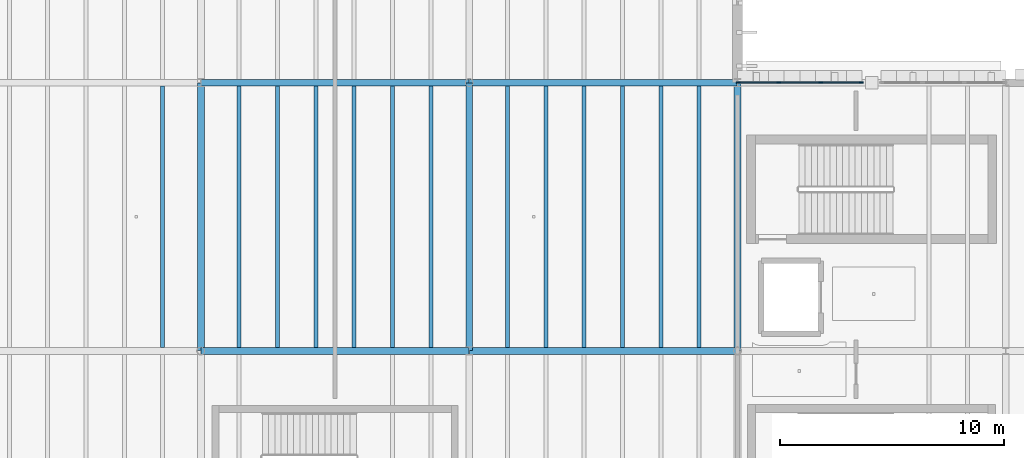
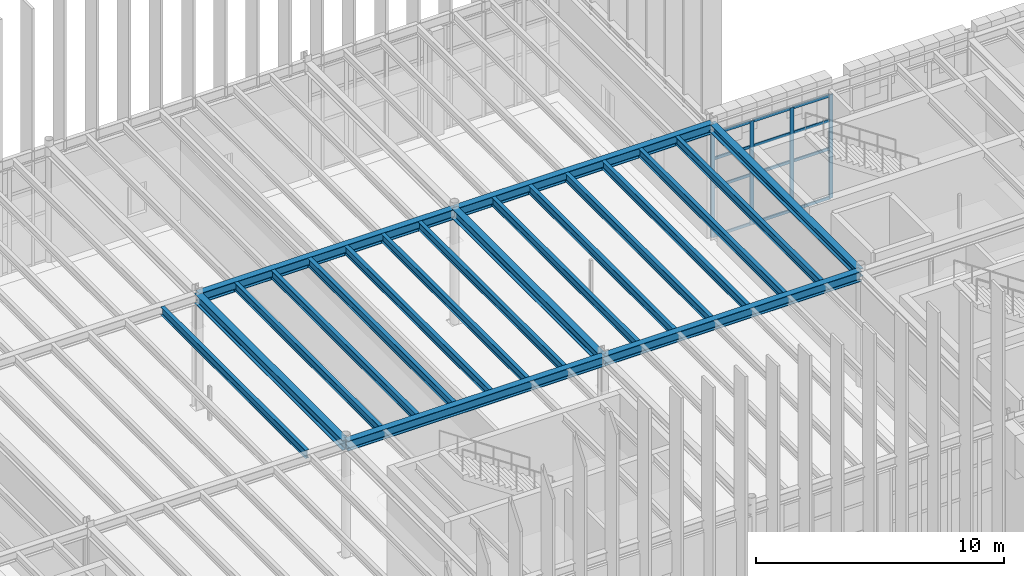
# One storey, part 27 of 83: 20 beams, 16 members, 1 element without a shape of its own.
"""IFC4 building model written with IfcOpenShell, lengths in metres."""

from ifc_helpers import new_model, si_unit, direction, frame, origin, origin_2d, place, context, subcontext, project, spatial, rectangle, i_section, extrude, material, layer, layer_set, material_profile, profile_set, type_object, element, aggregate, save


model = new_model("IFC4")

# Units and contexts
model_context = context("Model", 3, precision=1e-05, world=origin(), true_north=direction((0.0, 1.0)))
body_context = subcontext(model_context, "Body", "Model", "MODEL_VIEW")
ifc_project = project(units=[si_unit("LENGTHUNIT", "METRE"), si_unit("AREAUNIT", "SQUARE_METRE"), si_unit("VOLUMEUNIT", "CUBIC_METRE"), si_unit("PLANEANGLEUNIT", "RADIAN"), si_unit("MASSUNIT", "GRAM", prefix="KILO")], contexts=[model_context])

# Site, building, storey
site_placement = place(None, origin())
site = spatial("IfcSite", under=ifc_project, at=site_placement, CompositionType="ELEMENT")
building_placement = place(site_placement, origin())
building = spatial("IfcBuilding", under=site, at=building_placement, Name="Zlatogorsky Bluff Art Gallery", CompositionType="ELEMENT")
storey_placement = place(building_placement, frame((0.0, 0.0, 10.800048828125)))
storey = spatial("IfcBuildingStorey", under=building, at=storey_placement, Name="L02", CompositionType="ELEMENT", Elevation=10.800048828125)

# Beams
ifc_material_1 = material(Name="Steel S355", Category="steel")
ifc_material_profile_1 = material_profile(ifc_material_1, i_section(OverallWidth=0.300048828125, OverallDepth=0.489990234375, WebThickness=0.011962890625, FlangeThickness=0.02294921875, FilletRadius=0.027099609375, at=origin_2d()), Name="HEA 500")
ifc_profile_set_1 = profile_set([ifc_material_profile_1], Name="Steel S355")
beam_type_1 = type_object("IfcBeamType", Name="Beam BM-07 HEA 500", PredefinedType="BEAM", material=ifc_profile_set_1)
for number, where, z_axis, x_axis, name in (
    (1, (96.014892578125, 96.0, 5.445068359375), (1.0, 0.0, 0.0), (0.0, 1.0, 0.0), "Primary girder BM-07 L02 J-K/10"),
    (2, (96.014892578125, 108.0, 5.445068359375), (1.0, 0.0, 0.0), (0.0, 1.0, 0.0), "Primary girder BM-07 L02 J-K/11"),
    (3, (108.014892578125, 96.0, 5.445068359375), (1.0, 0.0, 0.0), (0.0, 1.0, 0.0), "Primary girder BM-07 L02 K-L/10"),
    (4, (108.014892578125, 108.0, 5.445068359375), (1.0, 0.0, 0.0), (0.0, 1.0, 0.0), "Primary girder BM-07 L02 K-L/11"),
    (5, (96.0, 96.014892578125, 5.445068359375), (0.0, 1.0, 0.0), (-1.0, 0.0, 0.0), "Primary girder BM-07 L02 J/10-11"),
    (6, (108.0, 96.014892578125, 5.445068359375), (0.0, 1.0, 0.0), (-1.0, 0.0, 0.0), "Primary girder BM-07 L02 K/10-11"),
):
    element("IfcBeam", number, at=place(storey_placement, frame(where, z_axis=z_axis, x_axis=x_axis)), inside=storey, type_object=beam_type_1, Name=name, PredefinedType="BEAM", context=body_context, shape_type="SweptSolid", body=[
        extrude(i_section(OverallWidth=0.300048828125, OverallDepth=0.489990234375, WebThickness=0.011962890625, FlangeThickness=0.02294921875, FilletRadius=0.027099609375, at=origin_2d()), origin(), (0.0, 0.0, 1.0), 11.97021484375),
    ])
ifc_material_profile_2 = material_profile(ifc_material_1, i_section(OverallWidth=0.300048828125, OverallDepth=0.389892578125, WebThickness=0.010986328125, FlangeThickness=0.01904296875, FilletRadius=0.027099609375, at=origin_2d()), Name="HEA 400")
ifc_profile_set_2 = profile_set([ifc_material_profile_2], Name="Steel S355")
beam_type_2 = type_object("IfcBeamType", Name="Beam BM-09 HEA 400", PredefinedType="BEAM", material=ifc_profile_set_2)
beam_placement = place(storey_placement, frame((120.0, 96.014892578125, 5.494873046875), z_axis=(0.0, 1.0, 0.0), x_axis=(-1.0, 0.0, 0.0)))
element("IfcBeam", 7, at=beam_placement, inside=storey, type_object=beam_type_2, Name="Primary girder BM-09 L02 L/10-11", PredefinedType="BEAM", context=body_context, shape_type="SweptSolid", body=[
    extrude(i_section(OverallWidth=0.300048828125, OverallDepth=0.389892578125, WebThickness=0.010986328125, FlangeThickness=0.01904296875, FilletRadius=0.027099609375, at=origin_2d()), origin(), (0.0, 0.0, 1.0), 11.97021484375),
])
ifc_material_profile_3 = material_profile(ifc_material_1, i_section(OverallWidth=0.179931640625, OverallDepth=0.39990234375, WebThickness=0.008544921875, FlangeThickness=0.013427734375, FilletRadius=0.02099609375, at=origin_2d()), Name="IPE 400")
ifc_profile_set_3 = profile_set([ifc_material_profile_3], Name="Steel S355")
beam_type_3 = type_object("IfcBeamType", Name="Beam JS-05 IPE 400", PredefinedType="JOIST", material=ifc_profile_set_3)
for number, where, z_axis, x_axis, name in (
    (8, (94.28564453125, 96.14990234375, 5.489990234375), (0.0, 1.0, 0.0), (-1.0, 0.0, 0.0), "Composite floor joist JS-05 L02 07.09.6"),
    (9, (97.71435546875, 96.14990234375, 5.489990234375), (0.0, 1.0, 0.0), (-1.0, 0.0, 0.0), "Composite floor joist JS-05 L02 08.09.1"),
    (10, (99.428466796875, 96.14990234375, 5.489990234375), (0.0, 1.0, 0.0), (-1.0, 0.0, 0.0), "Composite floor joist JS-05 L02 08.09.2"),
    (11, (101.142822265625, 96.14990234375, 5.489990234375), (0.0, 1.0, 0.0), (-1.0, 0.0, 0.0), "Composite floor joist JS-05 L02 08.09.3"),
    (12, (102.857177734375, 96.14990234375, 5.489990234375), (0.0, 1.0, 0.0), (-1.0, 0.0, 0.0), "Composite floor joist JS-05 L02 08.09.4"),
    (13, (104.571533203125, 96.14990234375, 5.489990234375), (0.0, 1.0, 0.0), (-1.0, 0.0, 0.0), "Composite floor joist JS-05 L02 08.09.5"),
    (14, (106.28564453125, 96.14990234375, 5.489990234375), (0.0, 1.0, 0.0), (-1.0, 0.0, 0.0), "Composite floor joist JS-05 L02 08.09.6"),
    (15, (109.71435546875, 96.14990234375, 5.489990234375), (0.0, 1.0, 0.0), (-1.0, 0.0, 0.0), "Composite floor joist JS-05 L02 09.09.1"),
    (16, (111.428466796875, 96.14990234375, 5.489990234375), (0.0, 1.0, 0.0), (-1.0, 0.0, 0.0), "Composite floor joist JS-05 L02 09.09.2"),
    (17, (113.142822265625, 96.14990234375, 5.489990234375), (0.0, 1.0, 0.0), (-1.0, 0.0, 0.0), "Composite floor joist JS-05 L02 09.09.3"),
    (18, (114.857177734375, 96.14990234375, 5.489990234375), (0.0, 1.0, 0.0), (-1.0, 0.0, 0.0), "Composite floor joist JS-05 L02 09.09.4"),
    (19, (116.571533203125, 96.14990234375, 5.489990234375), (0.0, 1.0, 0.0), (-1.0, 0.0, 0.0), "Composite floor joist JS-05 L02 09.09.5"),
    (20, (118.28564453125, 96.14990234375, 5.489990234375), (0.0, 1.0, 0.0), (-1.0, 0.0, 0.0), "Composite floor joist JS-05 L02 09.09.6"),
):
    element("IfcBeam", number, at=place(storey_placement, frame(where, z_axis=z_axis, x_axis=x_axis)), inside=storey, type_object=beam_type_3, Name=name, PredefinedType="JOIST", context=body_context, shape_type="SweptSolid", body=[
        extrude(i_section(OverallWidth=0.179931640625, OverallDepth=0.39990234375, WebThickness=0.008544921875, FlangeThickness=0.013427734375, FilletRadius=0.02099609375, at=origin_2d()), origin(), (0.0, 0.0, 1.0), 11.7001953125),
    ])

# Curtain wall, members
ifc_material_2 = material(Name="Anodised Bronze Aluminium and Low-Iron Triple Glazing", Category="aluminium")
ifc_layer = layer(ifc_material_2, 0.219970703125)
ifc_layer_set = layer_set([ifc_layer], Name="Curtain Wall CW-04")
curtain_wall_type = type_object("IfcCurtainWallType", Name="Curtain Wall CW-04", PredefinedType="USERDEFINED", material=ifc_layer_set)
curtain_wall_placement = place(storey_placement, origin())
curtain_wall = element("IfcCurtainWall", 21, at=curtain_wall_placement, inside=storey, type_object=curtain_wall_type, Name="Unitised curtain wall CW-04 L02 N 10.9-B", ObjectType="CURTAIN WALL", PredefinedType="USERDEFINED")
ifc_material_3 = material(Name="Anodised Bronze Aluminium", Category="aluminium")
ifc_material_profile_4 = material_profile(ifc_material_3, rectangle(XDim=0.06494140625, YDim=0.179931640625, at=origin_2d()), Name="ALU MULLION 65x180")
ifc_profile_set_4 = profile_set([ifc_material_profile_4], Name="Anodised Bronze Aluminium")
member_type_1 = type_object("IfcMemberType", Name="Curtain Mullion ML-01", PredefinedType="MULLION", material=ifc_profile_set_4)
member_1_placement = place(storey_placement, frame((125.547607421875, 108.0, 0.0), z_axis=(0.0, 0.0, 1.0), x_axis=(0.0, -1.0, 0.0)))
member_1 = element("IfcMember", 22, at=member_1_placement, type_object=member_type_1, Name="CW-04 mullion 1", PredefinedType="MULLION", context=body_context, shape_type="SweptSolid", body=[
    extrude(rectangle(XDim=0.06494140625, YDim=0.179931640625, at=origin_2d()), origin(), (0.0, 0.0, 1.0), 5.10986328125),
])
member_2_placement = place(storey_placement, frame((123.719970703125, 108.0, 0.0), z_axis=(0.0, 0.0, 1.0), x_axis=(0.0, -1.0, 0.0)))
member_2 = element("IfcMember", 23, at=member_2_placement, type_object=member_type_1, Name="CW-04 mullion 2", PredefinedType="MULLION", context=body_context, shape_type="SweptSolid", body=[
    extrude(rectangle(XDim=0.06494140625, YDim=0.179931640625, at=origin_2d()), origin(), (0.0, 0.0, 1.0), 5.10986328125),
])
member_3_placement = place(storey_placement, frame((121.860107421875, 108.0, 0.0), z_axis=(0.0, 0.0, 1.0), x_axis=(0.0, -1.0, 0.0)))
member_3 = element("IfcMember", 24, at=member_3_placement, type_object=member_type_1, Name="CW-04 mullion 3", PredefinedType="MULLION", context=body_context, shape_type="SweptSolid", body=[
    extrude(rectangle(XDim=0.06494140625, YDim=0.179931640625, at=origin_2d()), origin(), (0.0, 0.0, 1.0), 5.10986328125),
])
member_4_placement = place(storey_placement, frame((120.032470703125, 108.0, 0.0), z_axis=(0.0, 0.0, 1.0), x_axis=(0.0, -1.0, 0.0)))
member_4 = element("IfcMember", 25, at=member_4_placement, type_object=member_type_1, Name="CW-04 mullion 4", PredefinedType="MULLION", context=body_context, shape_type="SweptSolid", body=[
    extrude(rectangle(XDim=0.06494140625, YDim=0.179931640625, at=origin_2d()), origin(), (0.0, 0.0, 1.0), 5.10986328125),
])
ifc_material_profile_5 = material_profile(ifc_material_3, rectangle(XDim=0.06494140625, YDim=0.139892578125, at=origin_2d()), Name="ALU TRANSOM 65x140")
ifc_profile_set_5 = profile_set([ifc_material_profile_5], Name="Anodised Bronze Aluminium")
member_type_2 = type_object("IfcMemberType", Name="Curtain Transom TR-01", PredefinedType="USERDEFINED", material=ifc_profile_set_5)
member_5_placement = place(storey_placement, frame((125.514892578125, 108.0, 0.032470703125), z_axis=(-1.0, 0.0, 0.0), x_axis=(0.0, -1.0, 0.0)))
member_5 = element("IfcMember", 26, at=member_5_placement, type_object=member_type_2, Name="CW-04 transom 1.1", ObjectType="TRANSOM", PredefinedType="USERDEFINED", context=body_context, shape_type="SweptSolid", body=[
    extrude(rectangle(XDim=0.06494140625, YDim=0.139892578125, at=origin_2d()), origin(), (0.0, 0.0, 1.0), 1.762451171875),
])
member_6_placement = place(storey_placement, frame((125.514892578125, 108.0, 2.449951171875), z_axis=(-1.0, 0.0, 0.0), x_axis=(0.0, -1.0, 0.0)))
member_6 = element("IfcMember", 27, at=member_6_placement, type_object=member_type_2, Name="CW-04 transom 1.2", ObjectType="TRANSOM", PredefinedType="USERDEFINED", context=body_context, shape_type="SweptSolid", body=[
    extrude(rectangle(XDim=0.06494140625, YDim=0.139892578125, at=origin_2d()), origin(), (0.0, 0.0, 1.0), 1.762451171875),
])
member_7_placement = place(storey_placement, frame((125.514892578125, 108.0, 3.849853515625), z_axis=(-1.0, 0.0, 0.0), x_axis=(0.0, -1.0, 0.0)))
member_7 = element("IfcMember", 28, at=member_7_placement, type_object=member_type_2, Name="CW-04 transom 1.3", ObjectType="TRANSOM", PredefinedType="USERDEFINED", context=body_context, shape_type="SweptSolid", body=[
    extrude(rectangle(XDim=0.06494140625, YDim=0.139892578125, at=origin_2d()), origin(), (0.0, 0.0, 1.0), 1.762451171875),
])
member_8_placement = place(storey_placement, frame((125.514892578125, 108.0, 5.077392578125), z_axis=(-1.0, 0.0, 0.0), x_axis=(0.0, -1.0, 0.0)))
member_8 = element("IfcMember", 29, at=member_8_placement, type_object=member_type_2, Name="CW-04 transom 1.4", ObjectType="TRANSOM", PredefinedType="USERDEFINED", context=body_context, shape_type="SweptSolid", body=[
    extrude(rectangle(XDim=0.06494140625, YDim=0.139892578125, at=origin_2d()), origin(), (0.0, 0.0, 1.0), 1.762451171875),
])
member_9_placement = place(storey_placement, frame((123.6875, 108.0, 0.032470703125), z_axis=(-1.0, 0.0, 0.0), x_axis=(0.0, -1.0, 0.0)))
member_9 = element("IfcMember", 30, at=member_9_placement, type_object=member_type_2, Name="CW-04 transom 2.1", ObjectType="TRANSOM", PredefinedType="USERDEFINED", context=body_context, shape_type="SweptSolid", body=[
    extrude(rectangle(XDim=0.06494140625, YDim=0.139892578125, at=origin_2d()), origin(), (0.0, 0.0, 1.0), 1.794921875),
])
member_10_placement = place(storey_placement, frame((123.6875, 108.0, 2.449951171875), z_axis=(-1.0, 0.0, 0.0), x_axis=(0.0, -1.0, 0.0)))
member_10 = element("IfcMember", 31, at=member_10_placement, type_object=member_type_2, Name="CW-04 transom 2.2", ObjectType="TRANSOM", PredefinedType="USERDEFINED", context=body_context, shape_type="SweptSolid", body=[
    extrude(rectangle(XDim=0.06494140625, YDim=0.139892578125, at=origin_2d()), origin(), (0.0, 0.0, 1.0), 1.794921875),
])
member_11_placement = place(storey_placement, frame((123.6875, 108.0, 3.849853515625), z_axis=(-1.0, 0.0, 0.0), x_axis=(0.0, -1.0, 0.0)))
member_11 = element("IfcMember", 32, at=member_11_placement, type_object=member_type_2, Name="CW-04 transom 2.3", ObjectType="TRANSOM", PredefinedType="USERDEFINED", context=body_context, shape_type="SweptSolid", body=[
    extrude(rectangle(XDim=0.06494140625, YDim=0.139892578125, at=origin_2d()), origin(), (0.0, 0.0, 1.0), 1.794921875),
])
member_12_placement = place(storey_placement, frame((123.6875, 108.0, 5.077392578125), z_axis=(-1.0, 0.0, 0.0), x_axis=(0.0, -1.0, 0.0)))
member_12 = element("IfcMember", 33, at=member_12_placement, type_object=member_type_2, Name="CW-04 transom 2.4", ObjectType="TRANSOM", PredefinedType="USERDEFINED", context=body_context, shape_type="SweptSolid", body=[
    extrude(rectangle(XDim=0.06494140625, YDim=0.139892578125, at=origin_2d()), origin(), (0.0, 0.0, 1.0), 1.794921875),
])
member_13_placement = place(storey_placement, frame((121.827392578125, 108.0, 0.032470703125), z_axis=(-1.0, 0.0, 0.0), x_axis=(0.0, -1.0, 0.0)))
member_13 = element("IfcMember", 34, at=member_13_placement, type_object=member_type_2, Name="CW-04 transom 3.1", ObjectType="TRANSOM", PredefinedType="USERDEFINED", context=body_context, shape_type="SweptSolid", body=[
    extrude(rectangle(XDim=0.06494140625, YDim=0.139892578125, at=origin_2d()), origin(), (0.0, 0.0, 1.0), 1.762451171875),
])
member_14_placement = place(storey_placement, frame((121.827392578125, 108.0, 2.449951171875), z_axis=(-1.0, 0.0, 0.0), x_axis=(0.0, -1.0, 0.0)))
member_14 = element("IfcMember", 35, at=member_14_placement, type_object=member_type_2, Name="CW-04 transom 3.2", ObjectType="TRANSOM", PredefinedType="USERDEFINED", context=body_context, shape_type="SweptSolid", body=[
    extrude(rectangle(XDim=0.06494140625, YDim=0.139892578125, at=origin_2d()), origin(), (0.0, 0.0, 1.0), 1.762451171875),
])
member_15_placement = place(storey_placement, frame((121.827392578125, 108.0, 3.849853515625), z_axis=(-1.0, 0.0, 0.0), x_axis=(0.0, -1.0, 0.0)))
member_15 = element("IfcMember", 36, at=member_15_placement, type_object=member_type_2, Name="CW-04 transom 3.3", ObjectType="TRANSOM", PredefinedType="USERDEFINED", context=body_context, shape_type="SweptSolid", body=[
    extrude(rectangle(XDim=0.06494140625, YDim=0.139892578125, at=origin_2d()), origin(), (0.0, 0.0, 1.0), 1.762451171875),
])
member_16_placement = place(storey_placement, frame((121.827392578125, 108.0, 5.077392578125), z_axis=(-1.0, 0.0, 0.0), x_axis=(0.0, -1.0, 0.0)))
member_16 = element("IfcMember", 37, at=member_16_placement, type_object=member_type_2, Name="CW-04 transom 3.4", ObjectType="TRANSOM", PredefinedType="USERDEFINED", context=body_context, shape_type="SweptSolid", body=[
    extrude(rectangle(XDim=0.06494140625, YDim=0.139892578125, at=origin_2d()), origin(), (0.0, 0.0, 1.0), 1.762451171875),
])
aggregate(curtain_wall, [member_1, member_2, member_3, member_4, member_5, member_6, member_7, member_8, member_9, member_10, member_11, member_12, member_13, member_14, member_15, member_16])

save(model, "model.ifc")
